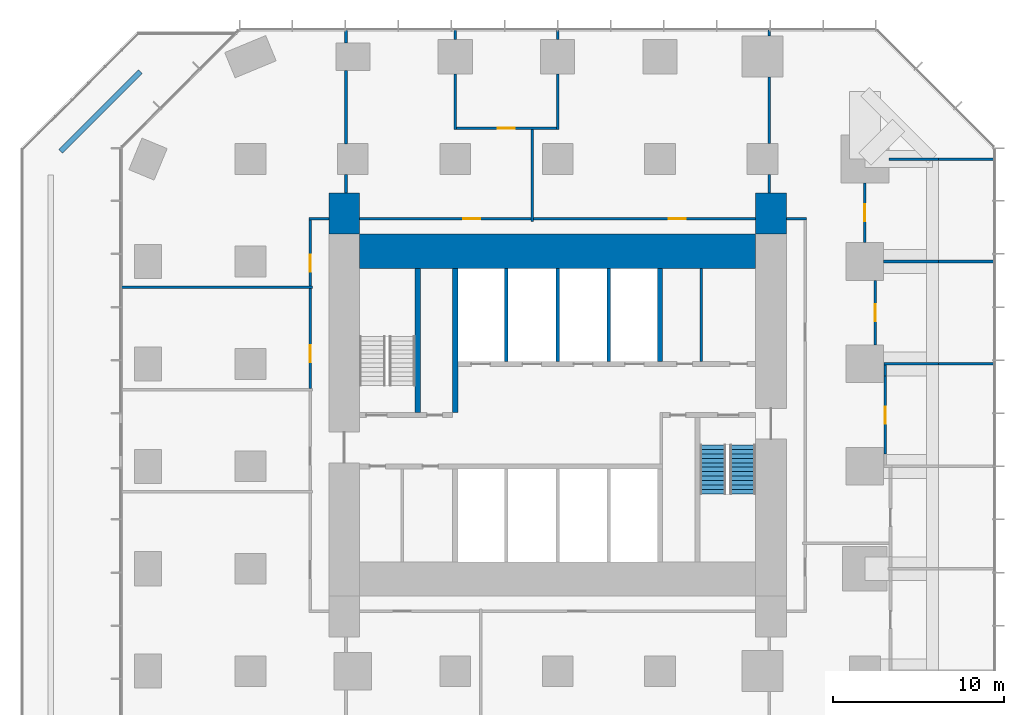
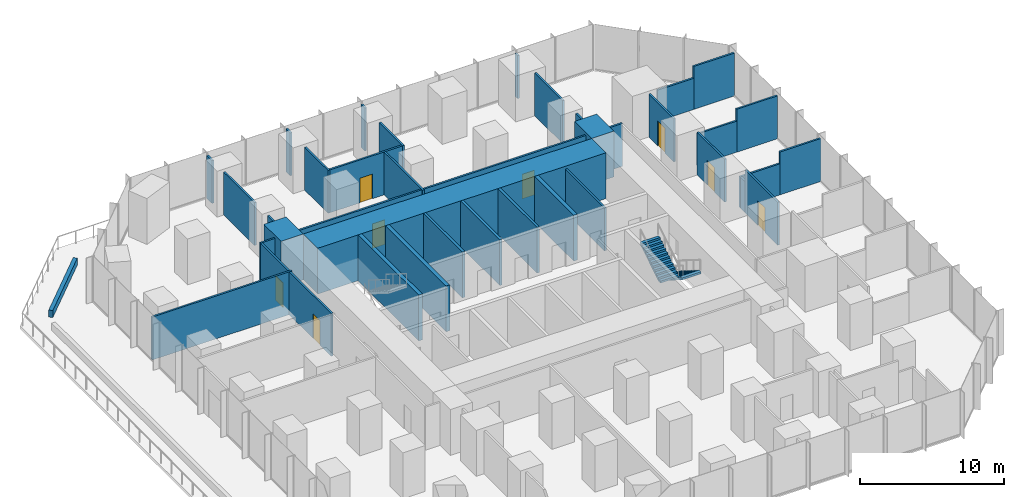
# One storey, part 10 of 12: 40 walls, 8 doors, 2 stair flights, 8 openings, 1 element without a shape of its own.
"""IFC4 building model written with IfcOpenShell, lengths in metres."""

from ifc_helpers import new_model, si_unit, direction, frame, frame_2d, origin, place, context, subcontext, project, spatial, polyline, rectangle, outline, extrude, material, layer, layer_set, type_object, element, fill, aggregate, save


model = new_model("IFC4")

# Units and contexts
model_context = context("Model", 3, precision=1e-05, world=origin(), true_north=direction((0.0, 1.0)))
body_context = subcontext(model_context, "Body", "Model", "MODEL_VIEW")
ifc_project = project(units=[si_unit("LENGTHUNIT", "METRE"), si_unit("AREAUNIT", "SQUARE_METRE"), si_unit("VOLUMEUNIT", "CUBIC_METRE"), si_unit("PLANEANGLEUNIT", "RADIAN"), si_unit("MASSUNIT", "GRAM", prefix="KILO")], contexts=[model_context])

# Site, building, storey
site_placement = place(None, origin())
site = spatial("IfcSite", under=ifc_project, at=site_placement, CompositionType="ELEMENT")
building_placement = place(site_placement, origin())
building = spatial("IfcBuilding", under=site, at=building_placement, Name="Highveld Stack Headquarters", CompositionType="ELEMENT")
storey_placement = place(building_placement, frame((0.0, 0.0, 41.60009765625)))
storey = spatial("IfcBuildingStorey", under=building, at=storey_placement, Name="L09", CompositionType="ELEMENT", Elevation=41.60009765625)

# Walls
ifc_material_1 = material(Name="Concrete C60/75", Category="concrete")
ifc_layer_1 = layer(ifc_material_1, 2.0)
ifc_layer_set_1 = layer_set([ifc_layer_1], Name="Concrete C60/75")
wall_type_1 = type_object("IfcWallType", Name="CORE WALL 2000 C60/75", PredefinedType="SHEAR", material=ifc_layer_set_1)
wall_1_placement = place(storey_placement, frame((-5.60009765625, 12.60009765625, 0.0), z_axis=(0.0, 0.0, 1.0), x_axis=(1.0, 0.0, 0.0)))
element("IfcWall", 1, at=wall_1_placement, inside=storey, type_object=wall_type_1, Name="Core wall N L09", PredefinedType="SHEAR", context=body_context, shape_type="SweptSolid", body=[
    extrude(rectangle(XDim=23.2001953125, YDim=2.0, at=frame_2d((11.60009765625, 0.0))), origin(), (0.0, 0.0, 1.0), 3.89990234375),
])
ifc_material_2 = material(Name="Concrete C60/75", Category="concrete")
ifc_layer_2 = layer(ifc_material_2, 0.300048828125)
ifc_layer_set_2 = layer_set([ifc_layer_2], Name="Concrete C60/75")
wall_type_2 = type_object("IfcWallType", Name="CORE WALL 300 C60/75", PredefinedType="SHEAR", material=ifc_layer_set_2)
wall_2_placement = place(storey_placement, frame((0.0, 3.14990234375, 0.0), z_axis=(0.0, 0.0, 1.0), x_axis=(0.0, 1.0, 0.0)))
element("IfcWall", 2, at=wall_2_placement, inside=storey, type_object=wall_type_2, Name="Core wall I-X0N L09", PredefinedType="SHEAR", context=body_context, shape_type="SweptSolid", body=[
    extrude(rectangle(XDim=8.4501953125, YDim=0.300048828125, at=frame_2d((4.22509765625, 0.0))), origin(), (0.0, 0.0, 1.0), 3.89990234375),
])
wall_3_placement = place(storey_placement, frame((12.0, 6.14990234375, 0.0), z_axis=(0.0, 0.0, 1.0), x_axis=(0.0, 1.0, 0.0)))
element("IfcWall", 3, at=wall_3_placement, inside=storey, type_object=wall_type_2, Name="Core wall I-X12N L09", PredefinedType="SHEAR", context=body_context, shape_type="SweptSolid", body=[
    extrude(rectangle(XDim=5.4501953125, YDim=0.300048828125, at=frame_2d((2.72509765625, 0.0))), origin(), (0.0, 0.0, 1.0), 3.89990234375),
])
wall_4_placement = place(storey_placement, frame((-2.199951171875, 3.14990234375, 0.0), z_axis=(0.0, 0.0, 1.0), x_axis=(0.0, 1.0, 0.0)))
element("IfcWall", 4, at=wall_4_placement, inside=storey, type_object=wall_type_2, Name="Core wall I-RW L09", PredefinedType="SHEAR", context=body_context, shape_type="SweptSolid", body=[
    extrude(rectangle(XDim=8.4501953125, YDim=0.300048828125, at=frame_2d((4.22509765625, 0.0))), origin(), (0.0, 0.0, 1.0), 3.89990234375),
])
ifc_material_3 = material(Name="Concrete C60/75", Category="concrete")
ifc_layer_3 = layer(ifc_material_3, 1.800048828125)
ifc_layer_set_3 = layer_set([ifc_layer_3], Name="Concrete C60/75")
wall_type_3 = type_object("IfcWallType", Name="CORE WING WALL 1800 C60/75", PredefinedType="SHEAR", material=ifc_layer_set_3)
for number, where, z_axis, x_axis, name in (
    (5, (-6.5, 13.60009765625, 0.0), (0.0, 0.0, 1.0), (0.0, 1.0, 0.0), "Core wing wall WN L09"),
    (6, (18.5, 13.60009765625, 0.0), (0.0, 0.0, 1.0), (0.0, 1.0, 0.0), "Core wing wall EN L09"),
):
    element("IfcWall", number, at=place(storey_placement, frame(where, z_axis=z_axis, x_axis=x_axis)), inside=storey, type_object=wall_type_3, Name=name, PredefinedType="SHEAR", context=body_context, shape_type="SweptSolid", body=[
        extrude(rectangle(XDim=2.39990234375, YDim=1.800048828125, at=frame_2d((1.199951171875, 0.0))), origin(), (0.0, 0.0, 1.0), 3.89990234375),
    ])

# Wall, opening, door
ifc_material_4 = material(Name="Laminated glass in aluminium frame", Category="aluminium")
ifc_layer_4 = layer(ifc_material_4, 0.14990234375)
ifc_layer_set_4 = layer_set([ifc_layer_4], Name="Laminated glass in aluminium frame")
wall_type_4 = type_object("IfcWallType", Name="GLAZED PARTITION 150", PredefinedType="PARTITIONING", material=ifc_layer_set_4)
wall_5_placement = place(storey_placement, frame((24.60009765625, 7.10009765625, 0.0), z_axis=(0.0, 0.0, 1.0), x_axis=(0.0, 1.0, 0.0)))
wall_5 = element("IfcWall", 7, at=wall_5_placement, inside=storey, type_object=wall_type_4, Name="Glazed partition Video conference room L09", PredefinedType="PARTITIONING", context=body_context, shape_type="SweptSolid", body=[
    extrude(rectangle(XDim=3.7998046875, YDim=0.14990234375, at=frame_2d((1.89990234375, 0.0))), origin(), (0.0, 0.0, 1.0), 3.64990234375),
])
opening_1_placement = place(wall_5_placement, frame((1.39990234375, 0.0, 0.0)))
opening_1 = element("IfcOpeningElement", 8, at=opening_1_placement, cuts=wall_5, Name="Opening L09-17", PredefinedType="OPENING", context=body_context, shape_type="SweptSolid", body=[
    extrude(rectangle(XDim=1.0, YDim=2.10009765625, at=frame_2d((0.5, 1.050048828125))), frame((0.0, 0.0849609375, 0.0), z_axis=(0.0, -1.0, 0.0), x_axis=(1.0, 0.0, 0.0)), (0.0, 0.0, 1.0), 0.169921875),
])
ifc_material_5 = material(Name="Timber door, oiled ash", Category="wood")
door_type = type_object("IfcDoorType", Name="ROOM DOOR D6 1000x2100", OperationType="SINGLE_SWING_LEFT", PredefinedType="DOOR", material=ifc_material_5)
door_1_placement = place(opening_1_placement, origin())
door_1 = element("IfcDoor", 9, at=door_1_placement, inside=storey, type_object=door_type, Name="Video conference room door 1 L09", OperationType="SINGLE_SWING_LEFT", OverallHeight=2.10009765625, OverallWidth=1.0, PredefinedType="DOOR", context=body_context, shape_type="SweptSolid", body=[
    extrude(rectangle(XDim=1.0, YDim=2.10009765625, at=frame_2d((0.5, 1.050048828125))), frame((0.0, 0.02490234375, 0.0), z_axis=(0.0, -1.0, 0.0), x_axis=(1.0, 0.0, 0.0)), (0.0, 0.0, 1.0), 0.050048828125),
])
fill(opening_1, door_1)

# Walls
ifc_material_6 = material(Name="Concrete blockwork, fair-faced", Category="masonry")
ifc_layer_5 = layer(ifc_material_6, 0.199951171875)
ifc_layer_set_5 = layer_set([ifc_layer_5], Name="Concrete blockwork, fair-faced")
wall_type_5 = type_object("IfcWallType", Name="LIFT SHAFT ENCLOSURE WALL 200 BLOCKWORK", PredefinedType="SOLIDWALL", material=ifc_layer_set_5)
for number, where, z_axis, x_axis, name in (
    (10, (3.0, 6.14990234375, 0.0), (0.0, 0.0, 1.0), (0.0, 1.0, 0.0), "Lift shaft wall L09"),
    (11, (6.0, 6.14990234375, 0.0), (0.0, 0.0, 1.0), (0.0, 1.0, 0.0), "Lift shaft wall L09"),
    (12, (9.0, 6.14990234375, 0.0), (0.0, 0.0, 1.0), (0.0, 1.0, 0.0), "Lift shaft wall L09"),
):
    element("IfcWall", number, at=place(storey_placement, frame(where, z_axis=z_axis, x_axis=x_axis)), inside=storey, type_object=wall_type_5, Name=name, PredefinedType="SOLIDWALL", context=body_context, shape_type="SweptSolid", body=[
        extrude(rectangle(XDim=5.4501953125, YDim=0.199951171875, at=frame_2d((2.72509765625, 0.0))), origin(), (0.0, 0.0, 1.0), 3.89990234375),
    ])
ifc_material_7 = material(Name="Gypsum plasterboard on steel studs", Category="steel")
ifc_layer_6 = layer(ifc_material_7, 0.14990234375)
ifc_layer_set_6 = layer_set([ifc_layer_6], Name="Gypsum plasterboard on steel studs")
wall_type_6 = type_object("IfcWallType", Name="PARTITION 150 PLASTERBOARD", PredefinedType="PARTITIONING", material=ifc_layer_set_6)
wall_6_placement = place(storey_placement, frame((25.125, 6.0, 0.0), z_axis=(0.0, 0.0, 1.0), x_axis=(1.0, 0.0, 0.0)))
element("IfcWall", 13, at=wall_6_placement, inside=storey, type_object=wall_type_6, Name="Partition Tea kitchen / Video conference room L09", PredefinedType="PARTITIONING", context=body_context, shape_type="SweptSolid", body=[
    extrude(rectangle(XDim=3.18505859375, YDim=0.14990234375, at=frame_2d((1.592529296875, 0.0))), origin(), (0.0, 0.0, 1.0), 2.64990234375),
])
wall_7_placement = place(storey_placement, frame((28.31005859375, 6.0, 0.0), z_axis=(0.0, 0.0, 1.0), x_axis=(1.0, 0.0, 0.0)))
element("IfcWall", 14, at=wall_7_placement, inside=storey, type_object=wall_type_6, Name="Partition Tea kitchen / Video conference room L09", PredefinedType="PARTITIONING", context=body_context, shape_type="SweptSolid", body=[
    extrude(rectangle(XDim=3.2900390625, YDim=0.14990234375, at=frame_2d((1.64501953125, 0.0))), origin(), (0.0, 0.0, 1.0), 3.64990234375),
])
wall_8_placement = place(storey_placement, frame((25.10009765625, 12.0, 0.0), z_axis=(0.0, 0.0, 1.0), x_axis=(1.0, 0.0, 0.0)))
element("IfcWall", 15, at=wall_8_placement, inside=storey, type_object=wall_type_6, Name="Partition Office / Video conference room L09", PredefinedType="PARTITIONING", context=body_context, shape_type="SweptSolid", body=[
    extrude(rectangle(XDim=3.2099609375, YDim=0.14990234375, at=frame_2d((1.60498046875, 0.0))), origin(), (0.0, 0.0, 1.0), 2.64990234375),
])
wall_9_placement = place(storey_placement, frame((28.31005859375, 12.0, 0.0), z_axis=(0.0, 0.0, 1.0), x_axis=(1.0, 0.0, 0.0)))
element("IfcWall", 16, at=wall_9_placement, inside=storey, type_object=wall_type_6, Name="Partition Office / Video conference room L09", PredefinedType="PARTITIONING", context=body_context, shape_type="SweptSolid", body=[
    extrude(rectangle(XDim=3.2900390625, YDim=0.14990234375, at=frame_2d((1.64501953125, 0.0))), origin(), (0.0, 0.0, 1.0), 3.64990234375),
])
wall_10_placement = place(storey_placement, frame((25.39990234375, 18.0, 0.0), z_axis=(0.0, 0.0, 1.0), x_axis=(1.0, 0.0, 0.0)))
element("IfcWall", 17, at=wall_10_placement, inside=storey, type_object=wall_type_6, Name="Partition Office L09", PredefinedType="PARTITIONING", context=body_context, shape_type="SweptSolid", body=[
    extrude(rectangle(XDim=2.91015625, YDim=0.14990234375, at=frame_2d((1.455078125, 0.0))), origin(), (0.0, 0.0, 1.0), 2.64990234375),
])
wall_11_placement = place(storey_placement, frame((28.31005859375, 18.0, 0.0), z_axis=(0.0, 0.0, 1.0), x_axis=(1.0, 0.0, 0.0)))
element("IfcWall", 18, at=wall_11_placement, inside=storey, type_object=wall_type_6, Name="Partition Office L09", PredefinedType="PARTITIONING", context=body_context, shape_type="SweptSolid", body=[
    extrude(rectangle(XDim=3.2900390625, YDim=0.14990234375, at=frame_2d((1.64501953125, 0.0))), origin(), (0.0, 0.0, 1.0), 3.64990234375),
])

# Wall, opening, door
wall_12_placement = place(storey_placement, frame((0.074951171875, 19.800048828125, 0.0), z_axis=(0.0, 0.0, 1.0), x_axis=(1.0, 0.0, 0.0)))
wall_12 = element("IfcWall", 19, at=wall_12_placement, inside=storey, type_object=wall_type_6, Name="Partition Print room L09", PredefinedType="PARTITIONING", context=body_context, shape_type="SweptSolid", body=[
    extrude(rectangle(XDim=5.85009765625, YDim=0.14990234375, at=frame_2d((2.925048828125, 0.0))), origin(), (0.0, 0.0, 1.0), 3.64990234375),
])
opening_2_placement = place(wall_12_placement, frame((2.425048828125, 0.0, 0.0)))
opening_2 = element("IfcOpeningElement", 20, at=opening_2_placement, cuts=wall_12, Name="Opening L09-19", PredefinedType="OPENING", context=body_context, shape_type="SweptSolid", body=[
    extrude(rectangle(XDim=1.0, YDim=2.10009765625, at=frame_2d((0.5, 1.050048828125))), frame((0.0, 0.0849609375, 0.0), z_axis=(0.0, -1.0, 0.0), x_axis=(1.0, 0.0, 0.0)), (0.0, 0.0, 1.0), 0.169921875),
])
door_2_placement = place(opening_2_placement, origin())
door_2 = element("IfcDoor", 21, at=door_2_placement, inside=storey, type_object=door_type, Name="Print room door 1 L09", OperationType="SINGLE_SWING_LEFT", OverallHeight=2.10009765625, OverallWidth=1.0, PredefinedType="DOOR", context=body_context, shape_type="SweptSolid", body=[
    extrude(rectangle(XDim=1.0, YDim=2.10009765625, at=frame_2d((0.5, 1.050048828125))), frame((0.0, 0.02490234375, 0.0), z_axis=(0.0, -1.0, 0.0), x_axis=(1.0, 0.0, 0.0)), (0.0, 0.0, 1.0), 0.050048828125),
])
fill(opening_2, door_2)

# Walls
wall_13_placement = place(storey_placement, frame((0.0, 19.72509765625, 0.0), z_axis=(0.0, 0.0, 1.0), x_axis=(0.0, 1.0, 0.0)))
element("IfcWall", 22, at=wall_13_placement, inside=storey, type_object=wall_type_6, Name="Partition Print room L09", PredefinedType="PARTITIONING", context=body_context, shape_type="SweptSolid", body=[
    extrude(rectangle(XDim=3.27490234375, YDim=0.14990234375, at=frame_2d((1.637451171875, 0.0))), origin(), (0.0, 0.0, 1.0), 3.64990234375),
])
wall_14_placement = place(storey_placement, frame((0.0, 25.0, 0.0), z_axis=(0.0, 0.0, 1.0), x_axis=(0.0, 1.0, 0.0)))
element("IfcWall", 23, at=wall_14_placement, inside=storey, type_object=wall_type_6, Name="Partition Print room L09", PredefinedType="PARTITIONING", context=body_context, shape_type="SweptSolid", body=[
    extrude(rectangle(XDim=0.60009765625, YDim=0.14990234375, at=frame_2d((0.300048828125, 0.0))), origin(), (0.0, 0.0, 1.0), 3.64990234375),
])
wall_15_placement = place(storey_placement, frame((6.0, 19.72509765625, 0.0), z_axis=(0.0, 0.0, 1.0), x_axis=(0.0, 1.0, 0.0)))
element("IfcWall", 24, at=wall_15_placement, inside=storey, type_object=wall_type_6, Name="Partition Print room L09", PredefinedType="PARTITIONING", context=body_context, shape_type="SweptSolid", body=[
    extrude(rectangle(XDim=3.27490234375, YDim=0.14990234375, at=frame_2d((1.637451171875, 0.0))), origin(), (0.0, 0.0, 1.0), 3.64990234375),
])
wall_16_placement = place(storey_placement, frame((6.0, 25.0, 0.0), z_axis=(0.0, 0.0, 1.0), x_axis=(0.0, 1.0, 0.0)))
element("IfcWall", 25, at=wall_16_placement, inside=storey, type_object=wall_type_6, Name="Partition Print room L09", PredefinedType="PARTITIONING", context=body_context, shape_type="SweptSolid", body=[
    extrude(rectangle(XDim=0.550048828125, YDim=0.14990234375, at=frame_2d((0.27490234375, 0.0))), origin(), (0.0, 0.0, 1.0), 3.64990234375),
])

# Wall, opening, door
wall_17_placement = place(storey_placement, frame((24.0, 13.10009765625, 0.0), z_axis=(0.0, 0.0, 1.0), x_axis=(0.0, 1.0, 0.0)))
wall_17 = element("IfcWall", 26, at=wall_17_placement, inside=storey, type_object=wall_type_6, Name="Partition Office L09", PredefinedType="PARTITIONING", context=body_context, shape_type="SweptSolid", body=[
    extrude(rectangle(XDim=3.5, YDim=0.14990234375, at=frame_2d((1.75, 0.0))), origin(), (0.0, 0.0, 1.0), 3.64990234375),
])
opening_3_placement = place(wall_17_placement, frame((1.25, 0.0, 0.0)))
opening_3 = element("IfcOpeningElement", 27, at=opening_3_placement, cuts=wall_17, Name="Opening L09-18", PredefinedType="OPENING", context=body_context, shape_type="SweptSolid", body=[
    extrude(rectangle(XDim=1.0, YDim=2.10009765625, at=frame_2d((0.5, 1.050048828125))), frame((0.0, 0.0849609375, 0.0), z_axis=(0.0, -1.0, 0.0), x_axis=(1.0, 0.0, 0.0)), (0.0, 0.0, 1.0), 0.169921875),
])
door_3_placement = place(opening_3_placement, origin())
door_3 = element("IfcDoor", 28, at=door_3_placement, inside=storey, type_object=door_type, Name="Office door 1 L09", OperationType="SINGLE_SWING_LEFT", OverallHeight=2.10009765625, OverallWidth=1.0, PredefinedType="DOOR", context=body_context, shape_type="SweptSolid", body=[
    extrude(rectangle(XDim=1.0, YDim=2.10009765625, at=frame_2d((0.5, 1.050048828125))), frame((0.0, 0.02490234375, 0.0), z_axis=(0.0, -1.0, 0.0), x_axis=(1.0, 0.0, 0.0)), (0.0, 0.0, 1.0), 0.050048828125),
])
fill(opening_3, door_3)

wall_18_placement = place(storey_placement, frame((25.199951171875, 0.7099609375, 0.0), z_axis=(0.0, 0.0, 1.0), x_axis=(0.0, 1.0, 0.0)))
wall_18 = element("IfcWall", 29, at=wall_18_placement, inside=storey, type_object=wall_type_6, Name="Partition Tea kitchen L09", PredefinedType="PARTITIONING", context=body_context, shape_type="SweptSolid", body=[
    extrude(rectangle(XDim=4.580078125, YDim=0.14990234375, at=frame_2d((2.2900390625, 0.0))), origin(), (0.0, 0.0, 1.0), 3.64990234375),
])
opening_4_placement = place(wall_18_placement, frame((1.7900390625, 0.0, 0.0)))
opening_4 = element("IfcOpeningElement", 30, at=opening_4_placement, cuts=wall_18, Name="Opening L09-16", PredefinedType="OPENING", context=body_context, shape_type="SweptSolid", body=[
    extrude(rectangle(XDim=1.0, YDim=2.10009765625, at=frame_2d((0.5, 1.050048828125))), frame((0.0, 0.0849609375, 0.0), z_axis=(0.0, -1.0, 0.0), x_axis=(1.0, 0.0, 0.0)), (0.0, 0.0, 1.0), 0.169921875),
])
door_4_placement = place(opening_4_placement, origin())
door_4 = element("IfcDoor", 31, at=door_4_placement, inside=storey, type_object=door_type, Name="Tea kitchen door 1 L09", OperationType="SINGLE_SWING_RIGHT", OverallHeight=2.10009765625, OverallWidth=1.0, PredefinedType="DOOR", context=body_context, shape_type="SweptSolid", body=[
    extrude(rectangle(XDim=1.0, YDim=2.10009765625, at=frame_2d((0.5, 1.050048828125))), frame((0.0, 0.02490234375, 0.0), z_axis=(0.0, -1.0, 0.0), x_axis=(1.0, 0.0, 0.0)), (0.0, 0.0, 1.0), 0.050048828125),
])
fill(opening_4, door_4)

# Walls
wall_19_placement = place(storey_placement, frame((25.199951171875, 5.2900390625, 0.0), z_axis=(0.0, 0.0, 1.0), x_axis=(0.0, 1.0, 0.0)))
element("IfcWall", 32, at=wall_19_placement, inside=storey, type_object=wall_type_6, Name="Partition Tea kitchen L09", PredefinedType="PARTITIONING", context=body_context, shape_type="SweptSolid", body=[
    extrude(rectangle(XDim=0.635009765625, YDim=0.14990234375, at=frame_2d((0.3173828125, 0.0))), origin(), (0.0, 0.0, 1.0), 2.64990234375),
])
wall_20_placement = place(storey_placement, frame((-19.60009765625, 10.5, 0.0), z_axis=(0.0, 0.0, 1.0), x_axis=(1.0, 0.0, 0.0)))
element("IfcWall", 33, at=wall_20_placement, inside=storey, type_object=wall_type_6, Name="Partition office neighbourhood L09", PredefinedType="PARTITIONING", context=body_context, shape_type="SweptSolid", body=[
    extrude(rectangle(XDim=11.25, YDim=0.14990234375, at=frame_2d((5.625, 0.0))), origin(), (0.0, 0.0, 1.0), 3.64990234375),
])

# Wall, opening, door
wall_21_placement = place(storey_placement, frame((-8.5, 4.574951171875, 0.0), z_axis=(0.0, 0.0, 1.0), x_axis=(0.0, 1.0, 0.0)))
wall_21 = element("IfcWall", 34, at=wall_21_placement, inside=storey, type_object=wall_type_6, Name="Partition office neighbourhood L09", PredefinedType="PARTITIONING", context=body_context, shape_type="SweptSolid", body=[
    extrude(rectangle(XDim=5.85009765625, YDim=0.14990234375, at=frame_2d((2.925048828125, 0.0))), origin(), (0.0, 0.0, 1.0), 3.64990234375),
])
opening_5_placement = place(wall_21_placement, frame((1.52490234375, 0.0, 0.0)))
opening_5 = element("IfcOpeningElement", 35, at=opening_5_placement, cuts=wall_21, Name="Opening L09-23", PredefinedType="OPENING", context=body_context, shape_type="SweptSolid", body=[
    extrude(rectangle(XDim=1.0, YDim=2.10009765625, at=frame_2d((0.5, 1.050048828125))), frame((0.0, 0.0849609375, 0.0), z_axis=(0.0, -1.0, 0.0), x_axis=(1.0, 0.0, 0.0)), (0.0, 0.0, 1.0), 0.169921875),
])
door_5_placement = place(opening_5_placement, origin())
door_5 = element("IfcDoor", 36, at=door_5_placement, inside=storey, type_object=door_type, Name="Office neighbourhood door L09", OperationType="SINGLE_SWING_LEFT", OverallHeight=2.10009765625, OverallWidth=1.0, PredefinedType="DOOR", context=body_context, shape_type="SweptSolid", body=[
    extrude(rectangle(XDim=1.0, YDim=2.10009765625, at=frame_2d((0.5, 1.050048828125))), frame((0.0, 0.02490234375, 0.0), z_axis=(0.0, -1.0, 0.0), x_axis=(1.0, 0.0, 0.0)), (0.0, 0.0, 1.0), 0.050048828125),
])
fill(opening_5, door_5)

wall_22_placement = place(storey_placement, frame((-8.5, 10.574951171875, 0.0), z_axis=(0.0, 0.0, 1.0), x_axis=(0.0, 1.0, 0.0)))
wall_22 = element("IfcWall", 37, at=wall_22_placement, inside=storey, type_object=wall_type_6, Name="Partition office neighbourhood L09", PredefinedType="PARTITIONING", context=body_context, shape_type="SweptSolid", body=[
    extrude(rectangle(XDim=3.85009765625, YDim=0.14990234375, at=frame_2d((1.925048828125, 0.0))), origin(), (0.0, 0.0, 1.0), 3.64990234375),
])
opening_6_placement = place(wall_22_placement, frame((0.824951171875, 0.0, 0.0)))
opening_6 = element("IfcOpeningElement", 38, at=opening_6_placement, cuts=wall_22, Name="Opening L09-25", PredefinedType="OPENING", context=body_context, shape_type="SweptSolid", body=[
    extrude(rectangle(XDim=1.0, YDim=2.10009765625, at=frame_2d((0.5, 1.050048828125))), frame((0.0, 0.0849609375, 0.0), z_axis=(0.0, -1.0, 0.0), x_axis=(1.0, 0.0, 0.0)), (0.0, 0.0, 1.0), 0.169921875),
])
door_6_placement = place(opening_6_placement, origin())
door_6 = element("IfcDoor", 39, at=door_6_placement, inside=storey, type_object=door_type, Name="Office neighbourhood door L09", OperationType="SINGLE_SWING_LEFT", OverallHeight=2.10009765625, OverallWidth=1.0, PredefinedType="DOOR", context=body_context, shape_type="SweptSolid", body=[
    extrude(rectangle(XDim=1.0, YDim=2.10009765625, at=frame_2d((0.5, 1.050048828125))), frame((0.0, 0.02490234375, 0.0), z_axis=(0.0, -1.0, 0.0), x_axis=(1.0, 0.0, 0.0)), (0.0, 0.0, 1.0), 0.050048828125),
])
fill(opening_6, door_6)

# Walls
wall_23_placement = place(storey_placement, frame((-8.574951171875, 14.5, 0.0), z_axis=(0.0, 0.0, 1.0), x_axis=(1.0, 0.0, 0.0)))
element("IfcWall", 40, at=wall_23_placement, inside=storey, type_object=wall_type_6, Name="Partition office neighbourhood L09", PredefinedType="PARTITIONING", context=body_context, shape_type="SweptSolid", body=[
    extrude(rectangle(XDim=1.175048828125, YDim=0.14990234375, at=frame_2d((0.58740234375, 0.0))), origin(), (0.0, 0.0, 1.0), 3.64990234375),
])
wall_24_placement = place(storey_placement, frame((-6.39990234375, 16.0, 0.0), z_axis=(0.0, 0.0, 1.0), x_axis=(0.0, 1.0, 0.0)))
element("IfcWall", 41, at=wall_24_placement, inside=storey, type_object=wall_type_6, Name="Partition office neighbourhood L09", PredefinedType="PARTITIONING", context=body_context, shape_type="SweptSolid", body=[
    extrude(rectangle(XDim=1.10009765625, YDim=0.14990234375, at=frame_2d((0.550048828125, 0.0))), origin(), (0.0, 0.0, 1.0), 3.64990234375),
])
wall_25_placement = place(storey_placement, frame((-6.39990234375, 18.89990234375, 0.0), z_axis=(0.0, 0.0, 1.0), x_axis=(0.0, 1.0, 0.0)))
element("IfcWall", 42, at=wall_25_placement, inside=storey, type_object=wall_type_6, Name="Partition office neighbourhood L09", PredefinedType="PARTITIONING", context=body_context, shape_type="SweptSolid", body=[
    extrude(rectangle(XDim=4.300048828125, YDim=0.14990234375, at=frame_2d((2.14990234375, 0.0))), origin(), (0.0, 0.0, 1.0), 3.64990234375),
])
wall_26_placement = place(storey_placement, frame((-6.39990234375, 24.800048828125, 0.0), z_axis=(0.0, 0.0, 1.0), x_axis=(0.0, 1.0, 0.0)))
element("IfcWall", 43, at=wall_26_placement, inside=storey, type_object=wall_type_6, Name="Partition office neighbourhood L09", PredefinedType="PARTITIONING", context=body_context, shape_type="SweptSolid", body=[
    extrude(rectangle(XDim=0.75, YDim=0.14990234375, at=frame_2d((0.375, 0.0))), origin(), (0.0, 0.0, 1.0), 3.64990234375),
])

# Wall, opening, door
wall_27_placement = place(storey_placement, frame((-5.60009765625, 14.5, 0.0), z_axis=(0.0, 0.0, 1.0), x_axis=(1.0, 0.0, 0.0)))
wall_27 = element("IfcWall", 44, at=wall_27_placement, inside=storey, type_object=wall_type_6, Name="Partition office neighbourhood L09", PredefinedType="PARTITIONING", context=body_context, shape_type="SweptSolid", body=[
    extrude(rectangle(XDim=10.025146484375, YDim=0.14990234375, at=frame_2d((5.0126953125, 0.0))), origin(), (0.0, 0.0, 1.0), 3.64990234375),
])
opening_7_placement = place(wall_27_placement, frame((6.06494140625, 0.0, 0.0)))
opening_7 = element("IfcOpeningElement", 45, at=opening_7_placement, cuts=wall_27, Name="Opening L09-28", PredefinedType="OPENING", context=body_context, shape_type="SweptSolid", body=[
    extrude(rectangle(XDim=1.0, YDim=2.10009765625, at=frame_2d((0.5, 1.050048828125))), frame((0.0, 0.0849609375, 0.0), z_axis=(0.0, -1.0, 0.0), x_axis=(1.0, 0.0, 0.0)), (0.0, 0.0, 1.0), 0.169921875),
])
door_7_placement = place(opening_7_placement, origin())
door_7 = element("IfcDoor", 46, at=door_7_placement, inside=storey, type_object=door_type, Name="Office neighbourhood door L09", OperationType="SINGLE_SWING_RIGHT", OverallHeight=2.10009765625, OverallWidth=1.0, PredefinedType="DOOR", context=body_context, shape_type="SweptSolid", body=[
    extrude(rectangle(XDim=1.0, YDim=2.10009765625, at=frame_2d((0.5, 1.050048828125))), frame((0.0, 0.02490234375, 0.0), z_axis=(0.0, -1.0, 0.0), x_axis=(1.0, 0.0, 0.0)), (0.0, 0.0, 1.0), 0.050048828125),
])
fill(opening_7, door_7)

# Wall
wall_28_placement = place(storey_placement, frame((4.5, 14.35009765625, 0.0), z_axis=(0.0, 0.0, 1.0), x_axis=(0.0, 1.0, 0.0)))
element("IfcWall", 47, at=wall_28_placement, inside=storey, type_object=wall_type_6, Name="Partition office neighbourhood L09", PredefinedType="PARTITIONING", context=body_context, shape_type="SweptSolid", body=[
    extrude(rectangle(XDim=5.375, YDim=0.14990234375, at=frame_2d((2.6875, 0.0))), origin(), (0.0, 0.0, 1.0), 3.64990234375),
])

# Wall, opening, door
wall_29_placement = place(storey_placement, frame((4.574951171875, 14.5, 0.0), z_axis=(0.0, 0.0, 1.0), x_axis=(1.0, 0.0, 0.0)))
wall_29 = element("IfcWall", 48, at=wall_29_placement, inside=storey, type_object=wall_type_6, Name="Partition office neighbourhood L09", PredefinedType="PARTITIONING", context=body_context, shape_type="SweptSolid", body=[
    extrude(rectangle(XDim=13.025146484375, YDim=0.14990234375, at=frame_2d((6.5126953125, 0.0))), origin(), (0.0, 0.0, 1.0), 3.64990234375),
])
opening_8_placement = place(wall_29_placement, frame((7.93994140625, 0.0, 0.0)))
opening_8 = element("IfcOpeningElement", 49, at=opening_8_placement, cuts=wall_29, Name="Opening L09-29", PredefinedType="OPENING", context=body_context, shape_type="SweptSolid", body=[
    extrude(rectangle(XDim=1.0, YDim=2.10009765625, at=frame_2d((0.5, 1.050048828125))), frame((0.0, 0.0849609375, 0.0), z_axis=(0.0, -1.0, 0.0), x_axis=(1.0, 0.0, 0.0)), (0.0, 0.0, 1.0), 0.169921875),
])
door_8_placement = place(opening_8_placement, origin())
door_8 = element("IfcDoor", 50, at=door_8_placement, inside=storey, type_object=door_type, Name="Office neighbourhood door L09", OperationType="SINGLE_SWING_RIGHT", OverallHeight=2.10009765625, OverallWidth=1.0, PredefinedType="DOOR", context=body_context, shape_type="SweptSolid", body=[
    extrude(rectangle(XDim=1.0, YDim=2.10009765625, at=frame_2d((0.5, 1.050048828125))), frame((0.0, 0.02490234375, 0.0), z_axis=(0.0, -1.0, 0.0), x_axis=(1.0, 0.0, 0.0)), (0.0, 0.0, 1.0), 0.050048828125),
])
fill(opening_8, door_8)

# Walls
wall_30_placement = place(storey_placement, frame((18.39990234375, 16.0, 0.0), z_axis=(0.0, 0.0, 1.0), x_axis=(0.0, 1.0, 0.0)))
element("IfcWall", 51, at=wall_30_placement, inside=storey, type_object=wall_type_6, Name="Partition office neighbourhood L09", PredefinedType="PARTITIONING", context=body_context, shape_type="SweptSolid", body=[
    extrude(rectangle(XDim=1.10009765625, YDim=0.14990234375, at=frame_2d((0.550048828125, 0.0))), origin(), (0.0, 0.0, 1.0), 3.64990234375),
])
wall_31_placement = place(storey_placement, frame((18.39990234375, 18.89990234375, 0.0), z_axis=(0.0, 0.0, 1.0), x_axis=(0.0, 1.0, 0.0)))
element("IfcWall", 52, at=wall_31_placement, inside=storey, type_object=wall_type_6, Name="Partition office neighbourhood L09", PredefinedType="PARTITIONING", context=body_context, shape_type="SweptSolid", body=[
    extrude(rectangle(XDim=3.900146484375, YDim=0.14990234375, at=frame_2d((1.9501953125, 0.0))), origin(), (0.0, 0.0, 1.0), 3.64990234375),
])
wall_32_placement = place(storey_placement, frame((18.39990234375, 25.199951171875, 0.0), z_axis=(0.0, 0.0, 1.0), x_axis=(0.0, 1.0, 0.0)))
element("IfcWall", 53, at=wall_32_placement, inside=storey, type_object=wall_type_6, Name="Partition office neighbourhood L09", PredefinedType="PARTITIONING", context=body_context, shape_type="SweptSolid", body=[
    extrude(rectangle(XDim=0.35009765625, YDim=0.14990234375, at=frame_2d((0.175048828125, 0.0))), origin(), (0.0, 0.0, 1.0), 3.64990234375),
])
wall_33_placement = place(storey_placement, frame((19.39990234375, 14.5, 0.0), z_axis=(0.0, 0.0, 1.0), x_axis=(1.0, 0.0, 0.0)))
element("IfcWall", 54, at=wall_33_placement, inside=storey, type_object=wall_type_6, Name="Partition office neighbourhood L09", PredefinedType="PARTITIONING", context=body_context, shape_type="SweptSolid", body=[
    extrude(rectangle(XDim=1.175048828125, YDim=0.14990234375, at=frame_2d((0.58740234375, 0.0))), origin(), (0.0, 0.0, 1.0), 3.64990234375),
])
ifc_material_8 = material(Name="Concrete C40/50, precast planter", Category="concrete")
ifc_layer_7 = layer(ifc_material_8, 0.300048828125)
ifc_layer_set_7 = layer_set([ifc_layer_7], Name="Concrete C40/50, precast planter")
wall_type_7 = type_object("IfcWallType", Name="PLANTER WALL PL1 300", PredefinedType="USERDEFINED", material=ifc_layer_set_7)
wall_34_placement = place(storey_placement, frame((-23.12255859375, 18.453125, 0.0), z_axis=(0.0, 0.0, 1.0), x_axis=(0.707106781187, 0.707106781187, 0.0)))
element("IfcWall", 55, at=wall_34_placement, inside=storey, type_object=wall_type_7, Name="Planter L09 1.4", ObjectType="PLANTER", PredefinedType="USERDEFINED", context=body_context, shape_type="SweptSolid", body=[
    extrude(rectangle(XDim=6.603515625, YDim=0.300048828125, at=frame_2d((3.3017578125, 0.0))), origin(), (0.0, 0.0, 1.0), 0.599853515625),
])
ifc_material_9 = material(Name="Concrete blockwork, tiled", Category="masonry")
ifc_layer_8 = layer(ifc_material_9, 0.14990234375)
ifc_layer_set_8 = layer_set([ifc_layer_8], Name="Concrete blockwork, tiled")
wall_type_8 = type_object("IfcWallType", Name="WC PARTITION 150", PredefinedType="PLUMBINGWALL", material=ifc_layer_set_8)
wall_35_placement = place(storey_placement, frame((14.39990234375, 6.14990234375, 0.0), z_axis=(0.0, 0.0, 1.0), x_axis=(0.0, 1.0, 0.0)))
element("IfcWall", 56, at=wall_35_placement, inside=storey, type_object=wall_type_8, Name="Toilet partition L09", PredefinedType="PLUMBINGWALL", context=body_context, shape_type="SweptSolid", body=[
    extrude(rectangle(XDim=5.4501953125, YDim=0.14990234375, at=frame_2d((2.72509765625, 0.0))), origin(), (0.0, 0.0, 1.0), 3.64990234375),
])

# Stair, stair flights
ifc_material_10 = material(Name="Concrete C40/50, precast", Category="concrete")
stair_type = type_object("IfcStairType", Name="STAIR S2 HALF TURN 1500", PredefinedType="HALF_TURN_STAIR", material=ifc_material_10)
stair_placement = place(storey_placement, origin())
stair = element("IfcStair", 57, at=stair_placement, inside=storey, type_object=stair_type, Name="Stair S2 L09", PredefinedType="HALF_TURN_STAIR")
ifc_material_11 = material(Name="Concrete C40/50, precast", Category="concrete")
stair_flight_type = type_object("IfcStairFlightType", Name="STAIR FLIGHT 1500 PRECAST", PredefinedType="STRAIGHT", material=ifc_material_11)
stair_flight_1_placement = place(storey_placement, frame((16.85009765625, 1.25, 0.0), z_axis=(0.0, 0.0, 1.0), x_axis=(0.0, -1.0, 0.0)))
stair_flight_1 = element("IfcStairFlight", 58, at=stair_flight_1_placement, type_object=stair_flight_type, Name="S2 flight 1", NumberOfRisers=12, NumberOfTreads=11, PredefinedType="STRAIGHT", RiserHeight=0.1625, TreadLength=0.26, context=body_context, shape_type="SweptSolid", body=[
    extrude(outline(polyline([(0.0, 0.0), (0.0, 0.16259765625), (0.260009765625, 0.16259765625), (0.260009765625, 0.324951171875), (0.52001953125, 0.324951171875), (0.52001953125, 0.487548828125), (0.780029296875, 0.487548828125), (0.780029296875, 0.64990234375), (1.0400390625, 0.64990234375), (1.0400390625, 0.8125), (1.300048828125, 0.8125), (1.300048828125, 0.97509765625), (1.56005859375, 0.97509765625), (1.56005859375, 1.137451171875), (1.820068359375, 1.137451171875), (1.820068359375, 1.300048828125), (2.080078125, 1.300048828125), (2.080078125, 1.46240234375), (2.340087890625, 1.46240234375), (2.340087890625, 1.625), (2.60009765625, 1.625), (2.60009765625, 1.78759765625), (2.860107421875, 1.78759765625), (2.860107421875, 1.949951171875), (2.860107421875, 1.61083984375), (0.28271484375, 0.0), (0.0, 0.0)])), frame((0.0, 0.75, 0.0), z_axis=(0.0, -1.0, 0.0), x_axis=(1.0, 0.0, 0.0)), (0.0, 0.0, 1.0), 1.5),
])
stair_flight_2_placement = place(storey_placement, frame((15.10009765625, -1.610107421875, 1.949951171875), z_axis=(0.0, 0.0, 1.0), x_axis=(0.0, 1.0, 0.0)))
stair_flight_2 = element("IfcStairFlight", 59, at=stair_flight_2_placement, type_object=stair_flight_type, Name="S2 flight 2", NumberOfRisers=12, NumberOfTreads=11, PredefinedType="STRAIGHT", RiserHeight=0.1625, TreadLength=0.26, context=body_context, shape_type="SweptSolid", body=[
    extrude(outline(polyline([(0.0, 0.0), (0.0, 0.16259765625), (0.260009765625, 0.16259765625), (0.260009765625, 0.324951171875), (0.52001953125, 0.324951171875), (0.52001953125, 0.487548828125), (0.780029296875, 0.487548828125), (0.780029296875, 0.64990234375), (1.0400390625, 0.64990234375), (1.0400390625, 0.8125), (1.300048828125, 0.8125), (1.300048828125, 0.97509765625), (1.56005859375, 0.97509765625), (1.56005859375, 1.137451171875), (1.820068359375, 1.137451171875), (1.820068359375, 1.300048828125), (2.080078125, 1.300048828125), (2.080078125, 1.46240234375), (2.340087890625, 1.46240234375), (2.340087890625, 1.625), (2.60009765625, 1.625), (2.60009765625, 1.78759765625), (2.860107421875, 1.78759765625), (2.860107421875, 1.949951171875), (2.860107421875, 1.61083984375), (0.28271484375, 0.0), (0.0, 0.0)])), frame((0.0, 0.75, 0.0), z_axis=(0.0, -1.0, 0.0), x_axis=(1.0, 0.0, 0.0)), (0.0, 0.0, 1.0), 1.5),
])
aggregate(stair, [stair_flight_1, stair_flight_2])

save(model, "model.ifc")
